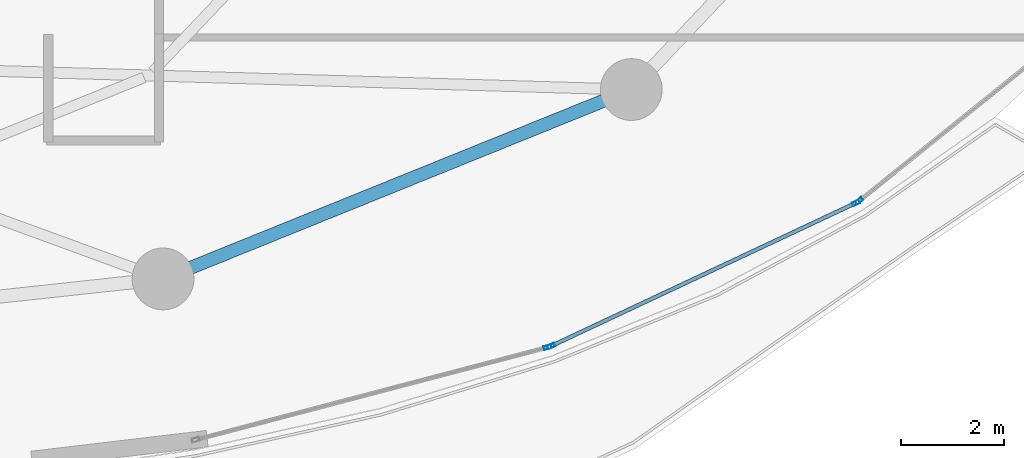
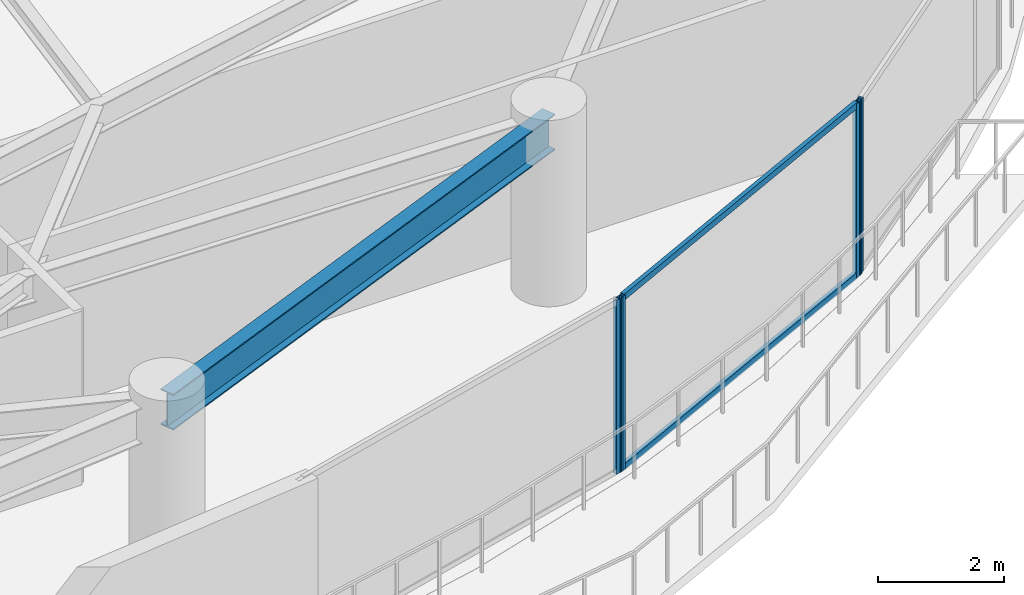
# One storey, part 14 of 33: 6 members, 1 beam, 3 elements without a shape of their own.
"""IFC4 building model written with IfcOpenShell, lengths in metres."""

from ifc_helpers import new_model, si_unit, direction, frame, origin, origin_2d, place, context, subcontext, project, spatial, hollow_rectangle, i_section, extrude, material, layer, layer_set, material_profile, profile_set, type_object, element, aggregate, save


model = new_model("IFC4")

# Units and contexts
model_context = context("Model", 3, precision=1e-05, world=origin(), true_north=direction((0.0, 1.0)))
body_context = subcontext(model_context, "Body", "Model", "MODEL_VIEW")
ifc_project = project(units=[si_unit("LENGTHUNIT", "METRE"), si_unit("AREAUNIT", "SQUARE_METRE"), si_unit("VOLUMEUNIT", "CUBIC_METRE"), si_unit("PLANEANGLEUNIT", "RADIAN"), si_unit("MASSUNIT", "GRAM", prefix="KILO")], contexts=[model_context])

# Site, building, storey
site_placement = place(None, origin())
site = spatial("IfcSite", under=ifc_project, at=site_placement, CompositionType="ELEMENT")
building_placement = place(site_placement, origin())
building = spatial("IfcBuilding", under=site, at=building_placement, Name="Kazevale Care Tower and Concert Hall", CompositionType="ELEMENT")
storey_placement = place(building_placement, frame((0.0, 0.0, 153.0)))
storey = spatial("IfcBuildingStorey", under=building, at=storey_placement, Name="L40", CompositionType="ELEMENT", Elevation=153.0)

# Curtain wall, member
ifc_material_1 = material(Name="Aluminium 6063-T6 and Low-E Glass", Category="aluminium")
ifc_layer = layer(ifc_material_1, 0.179931640625)
ifc_layer_set = layer_set([ifc_layer], Name="Aluminium 6063-T6 and Low-E Glass")
curtain_wall_type = type_object("IfcCurtainWallType", Name="Sheltered Concave Balcony Curtain Wall CW-5", PredefinedType="NOTDEFINED", material=ifc_layer_set)
curtain_wall_1_placement = place(storey_placement, origin())
curtain_wall_1 = element("IfcCurtainWall", 1, at=curtain_wall_1_placement, inside=storey, type_object=curtain_wall_type, Name="cw:L40:f02", PredefinedType="NOTDEFINED")
ifc_material_2 = material(Name="Aluminium 6063-T6", Category="aluminium")
ifc_material_profile_1 = material_profile(ifc_material_2, hollow_rectangle(XDim=0.074951171875, YDim=0.14990234375, WallThickness=0.00390625, at=origin_2d()), Name="ALU75x150x4")
ifc_profile_set_1 = profile_set([ifc_material_profile_1], Name="Aluminium 6063-T6")
member_type_1 = type_object("IfcMemberType", Name="CW-5 Mullion ALU75x150x4", PredefinedType="MULLION", material=ifc_profile_set_1)
member_1_placement = place(storey_placement, frame((69.25927734375, 20.826416015625, 0.0), z_axis=(0.0, 0.0, 1.0), x_axis=(0.626905357502, -0.779095419531, 0.0)))
member_1 = element("IfcMember", 2, at=member_1_placement, type_object=member_type_1, Name="CW-5 mullion 2", PredefinedType="MULLION", context=body_context, shape_type="SweptSolid", body=[
    extrude(hollow_rectangle(XDim=0.074951171875, YDim=0.14990234375, WallThickness=0.00390625, at=origin_2d()), origin(), (0.0, 0.0, 1.0), 3.360107421875),
])
aggregate(curtain_wall_1, [member_1])

# Curtain wall, members
curtain_wall_2_placement = place(storey_placement, origin())
curtain_wall_2 = element("IfcCurtainWall", 3, at=curtain_wall_2_placement, inside=storey, type_object=curtain_wall_type, Name="cw:L40:f03", PredefinedType="NOTDEFINED")
member_2_placement = place(storey_placement, frame((69.196044921875, 20.787109375, 0.0), z_axis=(0.0, 0.0, 1.0), x_axis=(0.425010766963, -0.905188294205, 0.0)))
member_2 = element("IfcMember", 4, at=member_2_placement, type_object=member_type_1, Name="CW-5 mullion 1", PredefinedType="MULLION", context=body_context, shape_type="SweptSolid", body=[
    extrude(hollow_rectangle(XDim=0.074951171875, YDim=0.14990234375, WallThickness=0.00390625, at=origin_2d()), origin(), (0.0, 0.0, 1.0), 3.360107421875),
])
member_3_placement = place(storey_placement, frame((63.27490234375, 18.0068359375, 0.0), z_axis=(0.0, 0.0, 1.0), x_axis=(0.425010766963, -0.905188294205, 0.0)))
member_3 = element("IfcMember", 5, at=member_3_placement, type_object=member_type_1, Name="CW-5 mullion 2", PredefinedType="MULLION", context=body_context, shape_type="SweptSolid", body=[
    extrude(hollow_rectangle(XDim=0.074951171875, YDim=0.14990234375, WallThickness=0.00390625, at=origin_2d()), origin(), (0.0, 0.0, 1.0), 3.360107421875),
])

# Curtain wall, member
curtain_wall_3_placement = place(storey_placement, origin())
curtain_wall_3 = element("IfcCurtainWall", 6, at=curtain_wall_3_placement, inside=storey, type_object=curtain_wall_type, Name="cw:L40:f04", PredefinedType="NOTDEFINED")
member_4_placement = place(storey_placement, frame((63.204833984375, 17.9814453125, 0.0), z_axis=(0.0, 0.0, 1.0), x_axis=(0.254238458229, -0.967141564797, 0.0)))
member_4 = element("IfcMember", 7, at=member_4_placement, type_object=member_type_1, Name="CW-5 mullion 1", PredefinedType="MULLION", context=body_context, shape_type="SweptSolid", body=[
    extrude(hollow_rectangle(XDim=0.074951171875, YDim=0.14990234375, WallThickness=0.00390625, at=origin_2d()), origin(), (0.0, 0.0, 1.0), 3.360107421875),
])
aggregate(curtain_wall_3, [member_4])

# Member
ifc_material_profile_2 = material_profile(ifc_material_2, hollow_rectangle(XDim=0.074951171875, YDim=0.1201171875, WallThickness=0.00390625, at=origin_2d()), Name="ALU75x120x4")
ifc_profile_set_2 = profile_set([ifc_material_profile_2], Name="Aluminium 6063-T6")
member_type_2 = type_object("IfcMemberType", Name="CW-5 Transom ALU75x120x4", PredefinedType="USERDEFINED", material=ifc_profile_set_2)
member_5_placement = place(storey_placement, frame((69.162109375, 20.771240234375, 0.03759765625), z_axis=(-0.90518714704, -0.425013210187, 0.0), x_axis=(0.425013210187, -0.90518714704, 0.0)))
member_5 = element("IfcMember", 8, at=member_5_placement, type_object=member_type_2, Name="CW-5 transom 1.1", ObjectType="TRANSOM", PredefinedType="USERDEFINED", context=body_context, shape_type="SweptSolid", body=[
    extrude(hollow_rectangle(XDim=0.074951171875, YDim=0.1201171875, WallThickness=0.00390625, at=origin_2d()), origin(), (0.0, 0.0, 1.0), 6.46630859375),
])

member_6_placement = place(storey_placement, frame((69.162109375, 20.771240234375, 3.322509765625), z_axis=(-0.90518714704, -0.425013210187, 0.0), x_axis=(0.425013210187, -0.90518714704, 0.0)))
member_6 = element("IfcMember", 9, at=member_6_placement, type_object=member_type_2, Name="CW-5 transom 1.2", ObjectType="TRANSOM", PredefinedType="USERDEFINED", context=body_context, shape_type="SweptSolid", body=[
    extrude(hollow_rectangle(XDim=0.074951171875, YDim=0.1201171875, WallThickness=0.00390625, at=origin_2d()), origin(), (0.0, 0.0, 1.0), 6.46630859375),
])

aggregate(curtain_wall_2, [member_2, member_3, member_5, member_6])

# Beam
ifc_material_3 = material(Name="Steel ASTM A572 Gr 50", Category="steel")
ifc_material_profile_3 = material_profile(ifc_material_3, i_section(OverallWidth=0.256103515625, OverallDepth=0.693115234375, WebThickness=0.014404296875, FlangeThickness=0.023681640625, at=origin_2d()), Name="W690x170")
ifc_profile_set_3 = profile_set([ifc_material_profile_3], Name="Steel ASTM A572 Gr 50")
beam_type = type_object("IfcBeamType", Name="Waist Ring Beam W690x170", PredefinedType="BEAM", material=ifc_profile_set_3)
beam_placement = place(storey_placement, frame((55.72998046875, 19.31005859375, 3.013427734375), z_axis=(0.927068687828, 0.374891515041, 0.0), x_axis=(-0.374891515041, 0.927068687828, 0.0)))
element("IfcBeam", 10, at=beam_placement, inside=storey, type_object=beam_type, Name="beam:L40:ring:14", PredefinedType="BEAM", context=body_context, shape_type="SweptSolid", body=[
    extrude(i_section(OverallWidth=0.256103515625, OverallDepth=0.693115234375, WebThickness=0.014404296875, FlangeThickness=0.023681640625, at=origin_2d()), origin(), (0.0, 0.0, 1.0), 9.81591796875),
])

save(model, "model.ifc")
